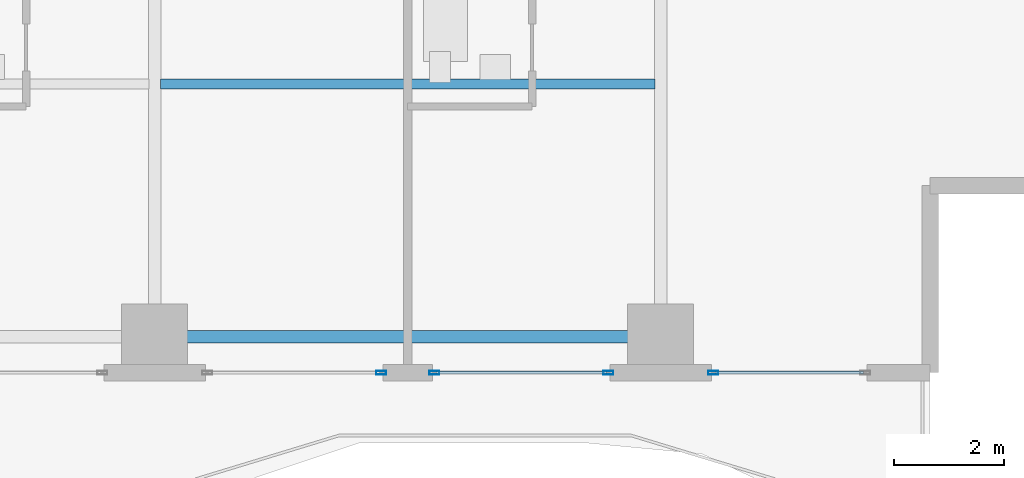
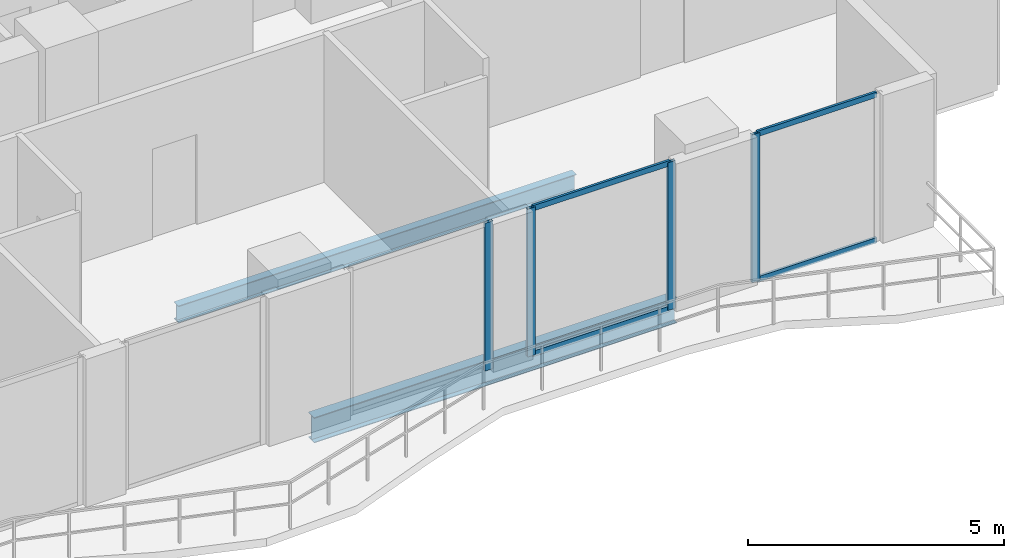
# One storey, part 9 of 32: 8 members, 2 beams, 3 elements without a shape of their own.
"""IFC4 building model written with IfcOpenShell, lengths in metres."""

import ifcopenshell
import ifcopenshell.guid

model = None  # the IFC model being written
_history = None  # IfcOwnerHistory: only IFC2X3 demands one
_inside = {}  # id of a spatial element -> (the spatial element, [elements in it])
_under = {}  # id of a project, library or spatial element -> (it, [spatial elements below it])
_declared = {}  # id of a project -> (the project, [libraries it declares])
_typed = {}  # id of a type object -> (the type object, [elements of that type])
_made_of = {}  # id of a material, layer set ... -> (it, [elements and type objects made of it])


def new_model(schema):
    """Start an empty IFC model of exactly this schema.

    Asked for "IFC4X3", IfcOpenShell would pick the latest addendum, in which some entities
    have other attributes; the version numbers below select the first issue.
    IFC2X3 requires an IfcOwnerHistory on every rooted entity: one is made here for all.
    """
    global model, _history
    if schema == "IFC4X3":
        model = ifcopenshell.file(schema_version=(4, 3, 0, 0))
    else:
        model = ifcopenshell.file(schema=schema)
    _inside.clear()
    _under.clear()
    _declared.clear()
    _typed.clear()
    _made_of.clear()
    _history = None
    if model.schema == "IFC2X3":
        org = make("IfcOrganization", Name="unknown")
        user = make(
            "IfcPersonAndOrganization",
            ThePerson=make("IfcPerson", FamilyName="unknown"),
            TheOrganization=org,
        )
        app = make(
            "IfcApplication",
            ApplicationDeveloper=org,
            Version="unknown",
            ApplicationFullName="unknown",
            ApplicationIdentifier="unknown",
        )
        _history = make(
            "IfcOwnerHistory",
            OwningUser=user,
            OwningApplication=app,
            ChangeAction="ADDED",
            CreationDate=0,
        )
    return model


def make(cls, **values):
    """One entity of the class cls with the attributes given. An attribute that is None is left unset."""
    return model.create_entity(
        cls, **{name: value for name, value in values.items() if value is not None}
    )


def rooted(cls, **values):
    """An entity with a GlobalId (a new one), such as an element, a storey or a relation."""
    return make(cls, GlobalId=ifcopenshell.guid.new(), OwnerHistory=_history, **values)


def si_unit(unit_type, name, prefix=None):
    """IfcSIUnit, for example si_unit("LENGTHUNIT", "METRE", prefix="MILLI")."""
    return make("IfcSIUnit", UnitType=unit_type, Prefix=prefix, Name=name)


def assignment(units):
    """IfcUnitAssignment: the units of a project."""
    return None if units is None else make("IfcUnitAssignment", Units=units)


def point(xyz):
    """IfcCartesianPoint."""
    return None if xyz is None else make("IfcCartesianPoint", Coordinates=xyz)


def direction(xyz):
    """IfcDirection."""
    return None if xyz is None else make("IfcDirection", DirectionRatios=xyz)


def frame(location, z_axis=None, x_axis=None):
    """IfcAxis2Placement3D, a coordinate frame: its origin and axes. An axis left out is left unset."""
    return make(
        "IfcAxis2Placement3D",
        Location=point(location),
        Axis=direction(z_axis),
        RefDirection=direction(x_axis),
    )


def frame_2d(location, x_axis=None):
    """IfcAxis2Placement2D, a coordinate frame in the plane: its origin and x axis."""
    return make(
        "IfcAxis2Placement2D", Location=point(location), RefDirection=direction(x_axis)
    )


def origin():
    """The frame at (0, 0, 0) with its axes left unset."""
    return frame((0.0, 0.0, 0.0))


def origin_2d():
    """The frame at (0, 0) in the plane with its x axis left unset."""
    return frame_2d((0.0, 0.0))


def place(relative_to, where):
    """IfcLocalPlacement: puts the frame where relative to a parent placement (None: the world)."""
    return make(
        "IfcLocalPlacement", PlacementRelTo=relative_to, RelativePlacement=where
    )


def context(
    kind, dimensions, precision=None, world=None, true_north=None, identifier=None
):
    """IfcGeometricRepresentationContext, for example the 3D "Model" context."""
    return make(
        "IfcGeometricRepresentationContext",
        ContextIdentifier=identifier,
        ContextType=kind,
        CoordinateSpaceDimension=dimensions,
        Precision=precision,
        WorldCoordinateSystem=world,
        TrueNorth=true_north,
    )


def subcontext(parent, identifier, kind, view, scale=None):
    """IfcGeometricRepresentationSubContext, for example "Body" below "Model"."""
    return make(
        "IfcGeometricRepresentationSubContext",
        ContextIdentifier=identifier,
        ContextType=kind,
        ParentContext=parent,
        TargetScale=scale,
        TargetView=view,
    )


def project(units=None, contexts=None):
    """IfcProject with its units and contexts."""
    return rooted(
        "IfcProject",
        Name="project",
        RepresentationContexts=contexts,
        UnitsInContext=assignment(units),
    )


def spatial(cls, under=None, at=None, **own):
    """A site, building, storey or space (cls), placed at a placement, below another one or the project."""
    s = rooted(cls, ObjectPlacement=at, **own)
    if under is not None:
        _under.setdefault(under.id(), (under, []))[1].append(s)
    return s


def profile(cls, at=None, kind="AREA", **sizes):
    """A parametric profile (cls). Its sizes go by their IFC names, for example OverallWidth=200.0."""
    return make(cls, ProfileType=kind, Position=at, **sizes)


def hollow_rectangle(**sizes):
    """IfcRectangleHollowProfileDef."""
    return profile("IfcRectangleHollowProfileDef", **sizes)


def i_section(**sizes):
    """IfcIShapeProfileDef."""
    return profile("IfcIShapeProfileDef", **sizes)


def extrude(swept, where, along, depth):
    """IfcExtrudedAreaSolid: the profile swept, set in the frame where, extruded along a direction by depth."""
    return make(
        "IfcExtrudedAreaSolid",
        SweptArea=swept,
        Position=where,
        ExtrudedDirection=direction(along),
        Depth=depth,
    )


def shape(context_of_items, identifier, shape_type, items):
    """IfcShapeRepresentation: the items that make up one representation, for example the "Body"."""
    return make(
        "IfcShapeRepresentation",
        ContextOfItems=context_of_items,
        RepresentationIdentifier=identifier,
        RepresentationType=shape_type,
        Items=items,
    )


def material(Name=None, Category=None):
    """IfcMaterial."""
    return make("IfcMaterial", Name=Name, Category=Category)


def layer(
    of_material, thickness, ventilated=None, Name=None, Category=None, Priority=None
):
    """IfcMaterialLayer: one layer of a wall or slab, of a material (None: an air gap)."""
    return make(
        "IfcMaterialLayer",
        Material=of_material,
        LayerThickness=thickness,
        IsVentilated=ventilated,
        Name=Name,
        Category=Category,
        Priority=Priority,
    )


def layer_set(layers, Name=None):
    """IfcMaterialLayerSet."""
    return make("IfcMaterialLayerSet", MaterialLayers=layers, LayerSetName=Name)


def material_profile(
    of_material, cross_section, Name=None, Category=None, Priority=None
):
    """IfcMaterialProfile: a cross section and its material."""
    return make(
        "IfcMaterialProfile",
        Name=Name,
        Material=of_material,
        Profile=cross_section,
        Priority=Priority,
        Category=Category,
    )


def profile_set(profiles, Name=None, composite=None):
    """IfcMaterialProfileSet."""
    return make(
        "IfcMaterialProfileSet",
        Name=Name,
        MaterialProfiles=profiles,
        CompositeProfile=composite,
    )


def made_of(thing, what):
    """Note that an element or type object is made of a material, layer set ...; save() writes the relation."""
    if what is not None:
        _made_of.setdefault(what.id(), (what, []))[1].append(thing)
    return thing


def type_object(cls, material=None, **own):
    """A type object (cls), such as IfcWallType, which elements share."""
    return made_of(rooted(cls, **own), material)


def element(
    cls,
    number,
    at=None,
    inside=None,
    cuts=None,
    type_object=None,
    material=None,
    context=None,
    identifier="Body",
    shape_type=None,
    held_by="IfcProductDefinitionShape",
    body=None,
    shapes=None,
    **own,
):
    """One element of the class cls, such as IfcWall. Its Tag is "e" and its number.

    at: its placement. inside: the storey or other place that contains it. cuts: it is an
    opening in that element (IfcRelVoidsElement). A single representation is given by context,
    identifier, shape_type and body (its items); several are given by shapes. held_by: the class
    of the entity that holds the representations. save() writes the other relations.
    """
    e = rooted(cls, Tag="e%d" % number, ObjectPlacement=at, **own)
    if body is not None:
        shapes = [shape(context, identifier, shape_type, body)]
    if shapes is not None:
        e.Representation = make(held_by, Representations=shapes)
    if inside is not None:
        _inside.setdefault(inside.id(), (inside, []))[1].append(e)
    if cuts is not None:
        rooted(
            "IfcRelVoidsElement", RelatingBuildingElement=cuts, RelatedOpeningElement=e
        )
    if type_object is not None:
        _typed.setdefault(type_object.id(), (type_object, []))[1].append(e)
    return made_of(e, material)


def aggregate(whole, parts):
    """IfcRelAggregates: a whole, such as a stair, and the parts it consists of."""
    return rooted("IfcRelAggregates", RelatingObject=whole, RelatedObjects=parts)


def save(model, path):
    """Write the relations noted so far, then the file.

    IfcRelAggregates (storeys below a building ...), IfcRelContainedInSpatialStructure (elements
    in a storey), IfcRelDefinesByType, IfcRelAssociatesMaterial and IfcRelDeclares: one each for
    every whole, place, type object, material and project.
    """
    for whole, parts in _under.values():
        aggregate(whole, parts)
    for where, things in _inside.values():
        rooted(
            "IfcRelContainedInSpatialStructure",
            RelatedElements=things,
            RelatingStructure=where,
        )
    for kind, things in _typed.values():
        rooted("IfcRelDefinesByType", RelatedObjects=things, RelatingType=kind)
    for what, things in _made_of.values():
        rooted("IfcRelAssociatesMaterial", RelatedObjects=things, RelatingMaterial=what)
    for by, libraries in _declared.values():
        rooted("IfcRelDeclares", RelatingContext=by, RelatedDefinitions=libraries)
    model.write(path)


model = new_model("IFC4")

# Units and contexts
model_context = context("Model", 3, precision=1e-05, world=origin(), true_north=direction((0.0, 1.0)))
body_context = subcontext(model_context, "Body", "Model", "MODEL_VIEW")
ifc_project = project(units=[si_unit("LENGTHUNIT", "METRE"), si_unit("AREAUNIT", "SQUARE_METRE"), si_unit("VOLUMEUNIT", "CUBIC_METRE"), si_unit("PLANEANGLEUNIT", "RADIAN"), si_unit("MASSUNIT", "GRAM", prefix="KILO")], contexts=[model_context])

# Site, building, storey
site_placement = place(None, origin())
site = spatial("IfcSite", under=ifc_project, at=site_placement, CompositionType="ELEMENT")
building_placement = place(site_placement, origin())
building = spatial("IfcBuilding", under=site, at=building_placement, Name="Zuhayl Quay Hotel", CompositionType="ELEMENT")
storey_placement = place(building_placement, frame((0.0, 0.0, 226.14990234375)))
storey = spatial("IfcBuildingStorey", under=building, at=storey_placement, Name="L57", CompositionType="ELEMENT", Elevation=226.14990234375)

# Beams
ifc_material_1 = material(Name="Steel ASTM A992 Grade 50", Category="steel")
ifc_material_profile_1 = material_profile(ifc_material_1, i_section(OverallWidth=0.22802734375, OverallDepth=0.60693359375, WebThickness=0.01123046875, FlangeThickness=0.017333984375, at=origin_2d()), Name="W24X76")
ifc_profile_set_1 = profile_set([ifc_material_profile_1], Name="Steel ASTM A992 Grade 50")
beam_type_1 = type_object("IfcBeamType", Name="BM_B3_W24X76", PredefinedType="BEAM", material=ifc_profile_set_1)
beam_1_placement = place(storey_placement, frame((5.10009765625, -6.949951171875, -0.5234375), z_axis=(1.0, 0.0, 0.0), x_axis=(0.0, 1.0, 0.0)))
element("IfcBeam", 1, at=beam_1_placement, inside=storey, type_object=beam_type_1, Name="L57 Floor Beam RG_L57_03", PredefinedType="BEAM", context=body_context, shape_type="SweptSolid", body=[
    extrude(i_section(OverallWidth=0.22802734375, OverallDepth=0.60693359375, WebThickness=0.01123046875, FlangeThickness=0.017333984375, at=origin_2d()), origin(), (0.0, 0.0, 1.0), 8.199951171875),
])
ifc_material_profile_2 = material_profile(ifc_material_1, i_section(OverallWidth=0.177978515625, OverallDepth=0.406005859375, WebThickness=0.0078125, FlangeThickness=0.0126953125, at=origin_2d()), Name="W16X40")
ifc_profile_set_2 = profile_set([ifc_material_profile_2], Name="Steel ASTM A992 Grade 50")
beam_type_2 = type_object("IfcBeamType", Name="BM_J2B_W16X40", PredefinedType="JOIST", material=ifc_profile_set_2)
beam_2_placement = place(storey_placement, frame((4.7060546875, -2.35009765625, -0.4228515625), z_axis=(1.0, 0.0, 0.0), x_axis=(0.0, 1.0, 0.0)))
element("IfcBeam", 2, at=beam_2_placement, inside=storey, type_object=beam_type_2, Name="L57 Floor Beam FJ_L57_7_3", PredefinedType="JOIST", context=body_context, shape_type="SweptSolid", body=[
    extrude(i_section(OverallWidth=0.177978515625, OverallDepth=0.406005859375, WebThickness=0.0078125, FlangeThickness=0.0126953125, at=origin_2d()), origin(), (0.0, 0.0, 1.0), 8.988037109375),
])

# Curtain wall, member
ifc_material_2 = material(Name="Anodised Aluminium 6063-T6", Category="aluminium")
ifc_layer = layer(ifc_material_2, 0.175048828125, Name="Anodised Aluminium 6063-T6", Category="aluminium")
ifc_layer_set = layer_set([ifc_layer], Name="Anodised Aluminium 6063-T6")
curtain_wall_type = type_object("IfcCurtainWallType", Name="CW_SYS_Z3", PredefinedType="USERDEFINED", material=ifc_layer_set)
curtain_wall_1_placement = place(storey_placement, origin())
curtain_wall_1 = element("IfcCurtainWall", 3, at=curtain_wall_1_placement, inside=storey, type_object=curtain_wall_type, Name="L57 Curtain Wall ENV_L57_S_CW1", ObjectType="UNITISED CURTAIN WALL", PredefinedType="USERDEFINED")
ifc_material_3 = material(Name="Black-anodised aluminium 6063-T6", Category="aluminium")
ifc_material_profile_3 = material_profile(ifc_material_3, hollow_rectangle(XDim=0.06494140625, YDim=0.179931640625, WallThickness=0.00341796875, at=origin_2d()), Name="ALU180X65")
ifc_profile_set_3 = profile_set([ifc_material_profile_3], Name="Black-anodised aluminium 6063-T6")
member_type_1 = type_object("IfcMemberType", Name="MB_CW_MUL_180", PredefinedType="MULLION", material=ifc_profile_set_3)
member_1_placement = place(storey_placement, frame((14.75244140625, -7.60009765625, 0.0), z_axis=(0.0, 0.0, 1.0), x_axis=(0.0, -1.0, 0.0)))
member_1 = element("IfcMember", 4, at=member_1_placement, type_object=member_type_1, Name="CW-Z3 mullion 2", PredefinedType="MULLION", context=body_context, shape_type="SweptSolid", body=[
    extrude(hollow_rectangle(XDim=0.06494140625, YDim=0.179931640625, WallThickness=0.00341796875, at=origin_2d()), origin(), (0.0, 0.0, 1.0), 3.530029296875),
])

# Curtain wall, members
curtain_wall_2_placement = place(storey_placement, origin())
curtain_wall_2 = element("IfcCurtainWall", 5, at=curtain_wall_2_placement, inside=storey, type_object=curtain_wall_type, Name="L57 Curtain Wall ENV_L57_S_CW2", ObjectType="UNITISED CURTAIN WALL", PredefinedType="USERDEFINED")
member_2_placement = place(storey_placement, frame((12.847412109375, -7.60009765625, 0.0), z_axis=(0.0, 0.0, 1.0), x_axis=(0.0, -1.0, 0.0)))
member_2 = element("IfcMember", 6, at=member_2_placement, type_object=member_type_1, Name="CW-Z3 mullion 1", PredefinedType="MULLION", context=body_context, shape_type="SweptSolid", body=[
    extrude(hollow_rectangle(XDim=0.06494140625, YDim=0.179931640625, WallThickness=0.00341796875, at=origin_2d()), origin(), (0.0, 0.0, 1.0), 3.530029296875),
])
member_3_placement = place(storey_placement, frame((9.6826171875, -7.60009765625, 0.0), z_axis=(0.0, 0.0, 1.0), x_axis=(0.0, -1.0, 0.0)))
member_3 = element("IfcMember", 7, at=member_3_placement, type_object=member_type_1, Name="CW-Z3 mullion 2", PredefinedType="MULLION", context=body_context, shape_type="SweptSolid", body=[
    extrude(hollow_rectangle(XDim=0.06494140625, YDim=0.179931640625, WallThickness=0.00341796875, at=origin_2d()), origin(), (0.0, 0.0, 1.0), 3.530029296875),
])

# Curtain wall, member
curtain_wall_3_placement = place(storey_placement, origin())
curtain_wall_3 = element("IfcCurtainWall", 8, at=curtain_wall_3_placement, inside=storey, type_object=curtain_wall_type, Name="L57 Curtain Wall ENV_L57_S_CW3", ObjectType="UNITISED CURTAIN WALL", PredefinedType="USERDEFINED")
member_4_placement = place(storey_placement, frame((8.717529296875, -7.60009765625, 0.0), z_axis=(0.0, 0.0, 1.0), x_axis=(0.0, -1.0, 0.0)))
member_4 = element("IfcMember", 9, at=member_4_placement, type_object=member_type_1, Name="CW-Z3 mullion 1", PredefinedType="MULLION", context=body_context, shape_type="SweptSolid", body=[
    extrude(hollow_rectangle(XDim=0.06494140625, YDim=0.179931640625, WallThickness=0.00341796875, at=origin_2d()), origin(), (0.0, 0.0, 1.0), 3.530029296875),
])
aggregate(curtain_wall_3, [member_4])

# Member
ifc_material_profile_4 = material_profile(ifc_material_3, hollow_rectangle(XDim=0.054931640625, YDim=0.1298828125, WallThickness=0.0029296875, at=origin_2d()), Name="ALU130X55")
ifc_profile_set_4 = profile_set([ifc_material_profile_4], Name="Black-anodised aluminium 6063-T6")
member_type_2 = type_object("IfcMemberType", Name="MB_CW_TRN_130", PredefinedType="USERDEFINED", material=ifc_profile_set_4)
member_5_placement = place(storey_placement, frame((17.485107421875, -7.60009765625, 0.027587890625), z_axis=(-1.0, 0.0, 0.0), x_axis=(0.0, -1.0, 0.0)))
member_5 = element("IfcMember", 10, at=member_5_placement, type_object=member_type_2, Name="CW-Z3 transom 1.1", ObjectType="TRANSOM", PredefinedType="USERDEFINED", context=body_context, shape_type="SweptSolid", body=[
    extrude(hollow_rectangle(XDim=0.054931640625, YDim=0.1298828125, WallThickness=0.0029296875, at=origin_2d()), origin(), (0.0, 0.0, 1.0), 2.7001953125),
])

member_6_placement = place(storey_placement, frame((17.485107421875, -7.60009765625, 3.502685546875), z_axis=(-1.0, 0.0, 0.0), x_axis=(0.0, -1.0, 0.0)))
member_6 = element("IfcMember", 11, at=member_6_placement, type_object=member_type_2, Name="CW-Z3 transom 1.2", ObjectType="TRANSOM", PredefinedType="USERDEFINED", context=body_context, shape_type="SweptSolid", body=[
    extrude(hollow_rectangle(XDim=0.054931640625, YDim=0.1298828125, WallThickness=0.0029296875, at=origin_2d()), origin(), (0.0, 0.0, 1.0), 2.7001953125),
])

aggregate(curtain_wall_1, [member_1, member_5, member_6])

member_7_placement = place(storey_placement, frame((12.81494140625, -7.60009765625, 0.027587890625), z_axis=(-1.0, 0.0, 0.0), x_axis=(0.0, -1.0, 0.0)))
member_7 = element("IfcMember", 12, at=member_7_placement, type_object=member_type_2, Name="CW-Z3 transom 1.1", ObjectType="TRANSOM", PredefinedType="USERDEFINED", context=body_context, shape_type="SweptSolid", body=[
    extrude(hollow_rectangle(XDim=0.054931640625, YDim=0.1298828125, WallThickness=0.0029296875, at=origin_2d()), origin(), (0.0, 0.0, 1.0), 3.099853515625),
])

member_8_placement = place(storey_placement, frame((12.81494140625, -7.60009765625, 3.502685546875), z_axis=(-1.0, 0.0, 0.0), x_axis=(0.0, -1.0, 0.0)))
member_8 = element("IfcMember", 13, at=member_8_placement, type_object=member_type_2, Name="CW-Z3 transom 1.2", ObjectType="TRANSOM", PredefinedType="USERDEFINED", context=body_context, shape_type="SweptSolid", body=[
    extrude(hollow_rectangle(XDim=0.054931640625, YDim=0.1298828125, WallThickness=0.0029296875, at=origin_2d()), origin(), (0.0, 0.0, 1.0), 3.099853515625),
])

aggregate(curtain_wall_2, [member_2, member_3, member_7, member_8])

save(model, "model.ifc")
